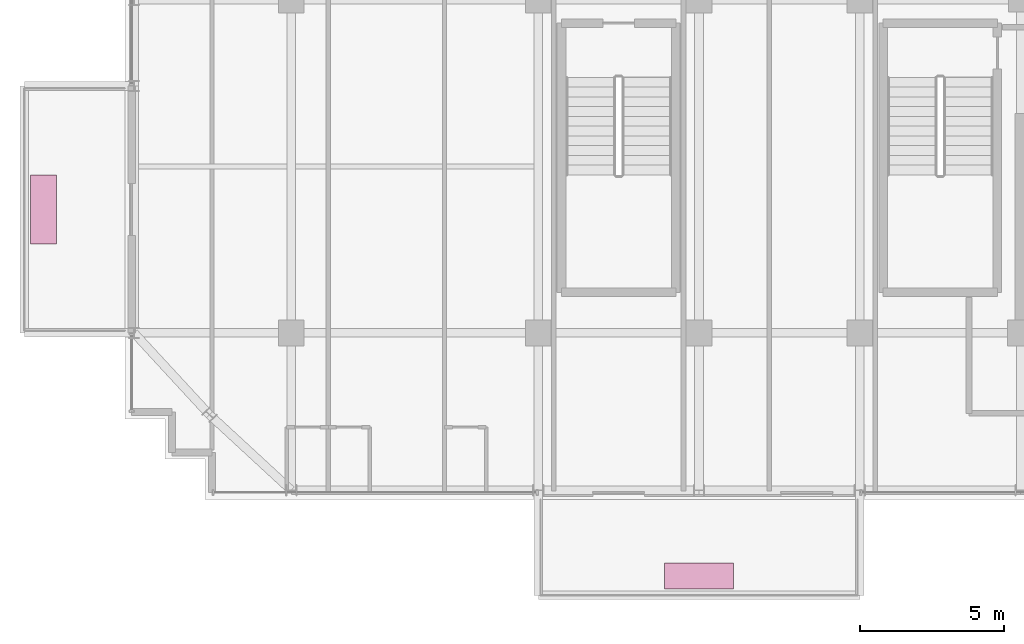
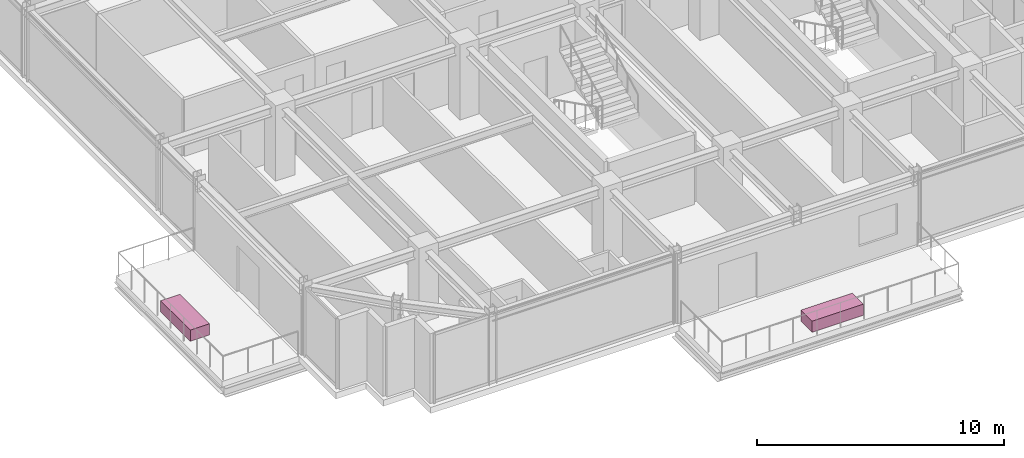
# One storey, part 31 of 31: 2 furnishings.
"""IFC4 building model written with IfcOpenShell, lengths in metres."""

from ifc_helpers import new_model, si_unit, direction, frame, origin, origin_2d, place, context, subcontext, project, spatial, rectangle, extrude, source, transform, mapped, material, type_object, element, save


model = new_model("IFC4")

# Units and contexts
model_context = context("Model", 3, precision=1e-05, world=origin(), true_north=direction((0.0, 1.0)))
body_context = subcontext(model_context, "Body", "Model", "MODEL_VIEW")
ifc_project = project(units=[si_unit("LENGTHUNIT", "METRE"), si_unit("AREAUNIT", "SQUARE_METRE"), si_unit("VOLUMEUNIT", "CUBIC_METRE"), si_unit("PLANEANGLEUNIT", "RADIAN"), si_unit("MASSUNIT", "GRAM", prefix="KILO")], contexts=[model_context])

# Site, building, storey
site_placement = place(None, origin())
site = spatial("IfcSite", under=ifc_project, at=site_placement, CompositionType="ELEMENT")
building_placement = place(site_placement, origin())
building = spatial("IfcBuilding", under=site, at=building_placement, Name="Nahalor Promenade Grand Hotel", CompositionType="ELEMENT")
storey_placement = place(building_placement, frame((0.0, 0.0, 277.550048828125)))
storey = spatial("IfcBuildingStorey", under=building, at=storey_placement, Name="L71", CompositionType="ELEMENT", Elevation=277.550048828125)

# Furnishings
ifc_material = material(Name="Vegetated Volcanic-Lapilli Tree Planter", Category="earth")
furnishing_element_type = type_object("IfcFurnishingElementType", Name="Planter-VerticalForest-Box", material=ifc_material)
shared_shape = source(origin(), body_context, "Body", "SweptSolid", [
    extrude(rectangle(XDim=2.39990234375, YDim=0.89990234375, at=origin_2d()), origin(), (0.0, 0.0, 1.0), 0.550048828125),
])
for number, where, z_axis, x_axis, name in (
    (1, (-2.800048828125, -25.469970703125, 0.0), (0.0, 0.0, 1.0), (1.0, 0.0, 0.0), "L71 Balcony Structural Tree Planter 1"),
    (2, (-25.6298828125, -12.699951171875, 0.0), (0.0, 0.0, 1.0), (0.0, 1.0, 0.0), "L71 Balcony Structural Tree Planter 2"),
):
    element("IfcFurnishingElement", number, at=place(storey_placement, frame(where, z_axis=z_axis, x_axis=x_axis)), inside=storey, type_object=furnishing_element_type, Name=name, ObjectType="PLANTER", context=body_context, shape_type="MappedRepresentation", body=[
        mapped(shared_shape, transform((0.0, 0.0, 0.0), scale=1.0)),
    ])

save(model, "model.ifc")
